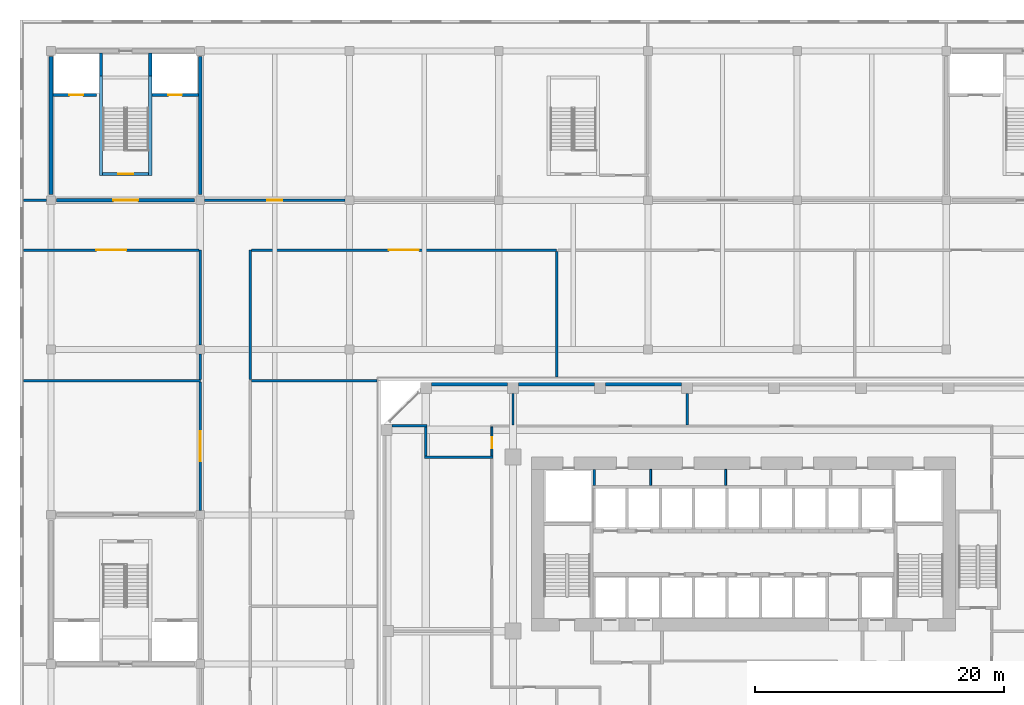
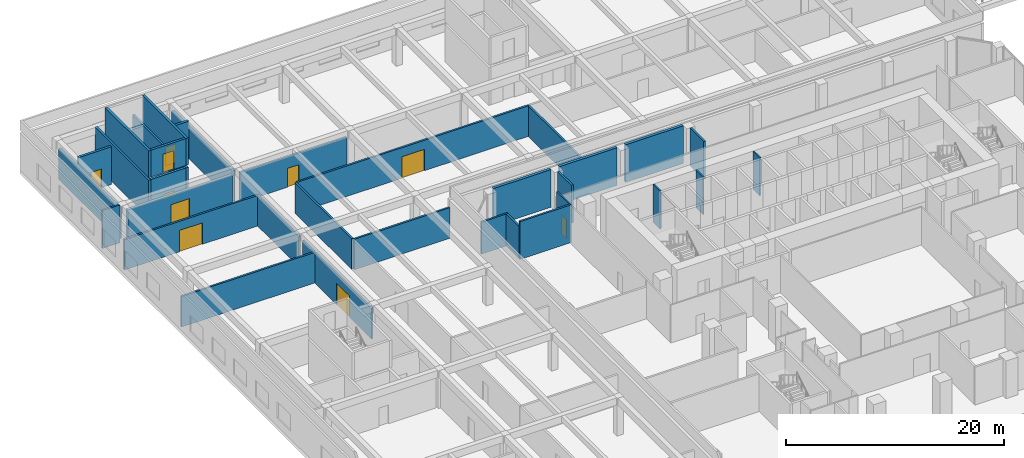
# One storey, part 20 of 35: 34 walls, 10 doors, 10 openings.
"""IFC4 building model written with IfcOpenShell, lengths in metres."""

from ifc_helpers import new_model, si_unit, direction, frame, frame_2d, origin, place, context, subcontext, project, spatial, rectangle, extrude, source, transform, mapped, material, layer, layer_set, type_object, element, fill, save


model = new_model("IFC4")

# Units and contexts
model_context = context("Model", 3, precision=1e-05, world=origin(), true_north=direction((0.0, 1.0)))
body_context = subcontext(model_context, "Body", "Model", "MODEL_VIEW")
ifc_project = project(units=[si_unit("LENGTHUNIT", "METRE"), si_unit("AREAUNIT", "SQUARE_METRE"), si_unit("VOLUMEUNIT", "CUBIC_METRE"), si_unit("PLANEANGLEUNIT", "RADIAN"), si_unit("MASSUNIT", "GRAM", prefix="KILO")], contexts=[model_context])

# Site, building, storey
site_placement = place(None, origin())
site = spatial("IfcSite", under=ifc_project, at=site_placement, CompositionType="ELEMENT")
building_placement = place(site_placement, origin())
building = spatial("IfcBuilding", under=site, at=building_placement, Name="Kilnfold Tower and Market Hall", CompositionType="ELEMENT")
storey_placement = place(building_placement, frame((0.0, 0.0, 22.5)))
storey = spatial("IfcBuildingStorey", under=building, at=storey_placement, Name="L04", CompositionType="ELEMENT", Elevation=22.5)

# Wall, opening, door
ifc_material_1 = material(Name="Gypsum board on steel studs", Category="steel")
ifc_layer_1 = layer(ifc_material_1, 0.14990234375)
ifc_layer_set_1 = layer_set([ifc_layer_1], Name="Gypsum board on steel studs")
wall_type_1 = type_object("IfcWallType", Name="WALL CORRIDOR 150", PredefinedType="PARTITIONING", material=ifc_layer_set_1)
wall_1_placement = place(storey_placement, frame((-19.199951171875, 22.090087890625, 0.0), z_axis=(0.0, 0.0, 1.0), x_axis=(0.0, 1.0, 0.0)))
wall_1 = element("IfcWall", 1, at=wall_1_placement, inside=storey, type_object=wall_type_1, Name="Partition LY05.29", PredefinedType="PARTITIONING", context=body_context, shape_type="SweptSolid", body=[
    extrude(rectangle(XDim=2.3349609375, YDim=0.14990234375, at=frame_2d((1.16748046875, 0.0))), origin(), (0.0, 0.0, 1.0), 4.219970703125),
])
opening_1_placement = place(wall_1_placement, frame((0.614013671875, 0.0, 0.0)))
opening_1 = element("IfcOpeningElement", 2, at=opening_1_placement, cuts=wall_1, Name="Opening D2", PredefinedType="OPENING", context=body_context, shape_type="SweptSolid", body=[
    extrude(rectangle(XDim=0.89990234375, YDim=2.10009765625, at=frame_2d((0.449951171875, 1.050048828125))), frame((0.0, 0.0849609375, 0.0), z_axis=(0.0, -1.0, 0.0), x_axis=(1.0, 0.0, 0.0)), (0.0, 0.0, 1.0), 0.169921875),
])
ifc_material_2 = material(Name="Timber veneer door leaf in steel frame", Category="steel")
door_type_1 = type_object("IfcDoorType", Name="DOOR ROOM 900 X2100", OperationType="NOTDEFINED", PredefinedType="DOOR", material=ifc_material_2)
door_1_placement = place(opening_1_placement, origin())
door_1 = element("IfcDoor", 3, at=door_1_placement, inside=storey, type_object=door_type_1, Name="Door D2", OperationType="SINGLE_SWING_LEFT", OverallHeight=2.10009765625, OverallWidth=0.89990234375, PredefinedType="DOOR", context=body_context, shape_type="SweptSolid", body=[
    extrude(rectangle(XDim=0.89990234375, YDim=2.10009765625, at=frame_2d((0.449951171875, 1.050048828125))), frame((0.0, 0.02490234375, 0.0), z_axis=(0.0, -1.0, 0.0), x_axis=(1.0, 0.0, 0.0)), (0.0, 0.0, 1.0), 0.050048828125),
])
fill(opening_1, door_1)

# Walls
ifc_material_3 = material(Name="Gypsum board on steel studs", Category="steel")
ifc_layer_2 = layer(ifc_material_3, 0.199951171875)
ifc_layer_set_2 = layer_set([ifc_layer_2], Name="Gypsum board on steel studs")
wall_type_2 = type_object("IfcWallType", Name="WALL PARTY 200", PredefinedType="PARTITIONING", material=ifc_layer_set_2)
for number, where, z_axis, x_axis, name in (
    (4, (-3.5, 27.10009765625, 0.0), (0.0, 0.0, 1.0), (0.0, -1.0, 0.0), "Partition LY05.58"),
    (5, (-17.5, 24.575927734375, 0.0), (0.0, 0.0, 1.0), (0.0, 1.0, 0.0), "Partition LY05.59"),
):
    element("IfcWall", number, at=place(storey_placement, frame(where, z_axis=z_axis, x_axis=x_axis)), inside=storey, type_object=wall_type_2, Name=name, PredefinedType="PARTITIONING", context=body_context, shape_type="SweptSolid", body=[
        extrude(rectangle(XDim=2.524169921875, YDim=0.199951171875, at=frame_2d((1.26220703125, 0.0))), origin(), (0.0, 0.0, 1.0), 4.219970703125),
    ])
wall_2_placement = place(storey_placement, frame((-27.23193359375, 24.5, 0.0), z_axis=(0.0, 0.0, 1.0), x_axis=(1.0, 0.0, 0.0)))
element("IfcWall", 6, at=wall_2_placement, inside=storey, type_object=wall_type_2, Name="Partition LY05.60", PredefinedType="PARTITIONING", context=body_context, shape_type="SweptSolid", body=[
    extrude(rectangle(XDim=2.83203125, YDim=0.199951171875, at=frame_2d((1.416015625, 0.0))), origin(), (0.0, 0.0, 1.0), 3.570068359375),
])
wall_3_placement = place(storey_placement, frame((-24.60009765625, 22.0, 0.0), z_axis=(0.0, 0.0, 1.0), x_axis=(1.0, 0.0, 0.0)))
element("IfcWall", 7, at=wall_3_placement, inside=storey, type_object=wall_type_2, Name="Partition LY05.61", PredefinedType="PARTITIONING", context=body_context, shape_type="SweptSolid", body=[
    extrude(rectangle(XDim=5.47412109375, YDim=0.199951171875, at=frame_2d((2.737060546875, 0.0))), origin(), (0.0, 0.0, 1.0), 4.219970703125),
])
wall_4_placement = place(storey_placement, frame((-24.5, 24.39990234375, 0.0), z_axis=(0.0, 0.0, 1.0), x_axis=(0.0, -1.0, 0.0)))
element("IfcWall", 8, at=wall_4_placement, inside=storey, type_object=wall_type_2, Name="Partition LY05.62", PredefinedType="PARTITIONING", context=body_context, shape_type="SweptSolid", body=[
    extrude(rectangle(XDim=2.2998046875, YDim=0.199951171875, at=frame_2d((1.14990234375, 0.0))), origin(), (0.0, 0.0, 1.0), 3.570068359375),
])

# Wall, opening, door
ifc_material_4 = material(Name="Concrete C50/60", Category="concrete")
ifc_layer_3 = layer(ifc_material_4, 0.25)
ifc_layer_set_3 = layer_set([ifc_layer_3], Name="Concrete C50/60")
wall_type_3 = type_object("IfcWallType", Name="HALL CORE WALL 250", PredefinedType="SHEAR", material=ifc_layer_set_3)
shared_shape_1 = source(origin(), body_context, "Body", "SweptSolid", [
    extrude(rectangle(XDim=3.699951171875, YDim=0.25, at=frame_2d((1.85009765625, 0.0))), origin(), (0.0, 0.0, 1.0), 4.219970703125),
])
wall_5_placement = place(storey_placement, frame((-46.800048828125, 44.77490234375, 0.0), z_axis=(0.0, 0.0, 1.0), x_axis=(-1.0, 0.0, 0.0)))
wall_5 = element("IfcWall", 9, at=wall_5_placement, inside=storey, type_object=wall_type_3, Name="Core wall MH2", PredefinedType="SHEAR", context=body_context, shape_type="MappedRepresentation", body=[
    mapped(shared_shape_1, transform((0.0, 0.0, 0.0))),
])
opening_2_placement = place(wall_5_placement, frame((1.25, 0.0, 0.0)))
opening_2 = element("IfcOpeningElement", 10, at=opening_2_placement, cuts=wall_5, Name="Opening MD9-60", PredefinedType="OPENING", context=body_context, shape_type="SweptSolid", body=[
    extrude(rectangle(XDim=1.199951171875, YDim=2.10009765625, at=frame_2d((0.60009765625, 1.050048828125))), frame((0.0, 0.135009765625, 0.0), z_axis=(0.0, -1.0, 0.0), x_axis=(1.0, 0.0, 0.0)), (0.0, 0.0, 1.0), 0.27001953125),
])
ifc_material_5 = material(Name="Steel S355", Category="steel")
door_type_2 = type_object("IfcDoorType", Name="HALL DOOR STAIR 1200X2100 FD60", OperationType="NOTDEFINED", PredefinedType="DOOR", material=ifc_material_5)
door_2_placement = place(opening_2_placement, origin())
door_2 = element("IfcDoor", 11, at=door_2_placement, inside=storey, type_object=door_type_2, Name="Door MD9-60", OperationType="DOUBLE_DOOR_SINGLE_SWING", OverallHeight=2.10009765625, OverallWidth=1.199951171875, PredefinedType="DOOR", context=body_context, shape_type="SweptSolid", body=[
    extrude(rectangle(XDim=1.199951171875, YDim=2.10009765625, at=frame_2d((0.60009765625, 1.050048828125))), frame((0.0, 0.02490234375, 0.0), z_axis=(0.0, -1.0, 0.0), x_axis=(1.0, 0.0, 0.0)), (0.0, 0.0, 1.0), 0.050048828125),
])
fill(opening_2, door_2)

ifc_material_6 = material(Name="Concrete C50/60", Category="concrete")
ifc_layer_4 = layer(ifc_material_6, 0.300048828125)
ifc_layer_set_4 = layer_set([ifc_layer_4], Name="Concrete C50/60")
wall_type_4 = type_object("IfcWallType", Name="HALL CORE WALL 300", PredefinedType="SHEAR", material=ifc_layer_set_4)
shared_shape_2 = source(origin(), body_context, "Body", "SweptSolid", [
    extrude(rectangle(XDim=11.099853515625, YDim=0.300048828125, at=frame_2d((5.5498046875, 0.0))), origin(), (0.0, 0.0, 1.0), 3.419921875),
])
wall_6_placement = place(storey_placement, frame((-43.10009765625, 42.64990234375, 0.0), z_axis=(0.0, 0.0, 1.0), x_axis=(-1.0, 0.0, 0.0)))
wall_6 = element("IfcWall", 12, at=wall_6_placement, inside=storey, type_object=wall_type_4, Name="Core wall MH2", PredefinedType="SHEAR", context=body_context, shape_type="MappedRepresentation", body=[
    mapped(shared_shape_2, transform((0.0, 0.0, 0.0))),
])
opening_3_placement = place(wall_6_placement, frame((4.550048828125, 0.0, 0.0)))
opening_3 = element("IfcOpeningElement", 13, at=opening_3_placement, cuts=wall_6, Name="Opening MD10-60", PredefinedType="OPENING", context=body_context, shape_type="SweptSolid", body=[
    extrude(rectangle(XDim=2.0, YDim=2.39990234375, at=frame_2d((1.0, 1.199951171875))), frame((0.0, 0.16015625, 0.0), z_axis=(0.0, -1.0, 0.0), x_axis=(1.0, 0.0, 0.0)), (0.0, 0.0, 1.0), 0.320068359375),
])
ifc_material_7 = material(Name="Aluminium glazing", Category="aluminium")
door_type_3 = type_object("IfcDoorType", Name="HALL DOOR LOBBY 2000X2400 FD60", OperationType="NOTDEFINED", PredefinedType="DOOR", material=ifc_material_7)
door_3_placement = place(opening_3_placement, origin())
door_3 = element("IfcDoor", 14, at=door_3_placement, inside=storey, type_object=door_type_3, Name="Door MD10-60", OperationType="DOUBLE_DOOR_SINGLE_SWING", OverallHeight=2.39990234375, OverallWidth=2.0, PredefinedType="DOOR", context=body_context, shape_type="SweptSolid", body=[
    extrude(rectangle(XDim=2.0, YDim=2.39990234375, at=frame_2d((1.0, 1.199951171875))), frame((0.0, 0.02490234375, 0.0), z_axis=(0.0, -1.0, 0.0), x_axis=(1.0, 0.0, 0.0)), (0.0, 0.0, 1.0), 0.050048828125),
])
fill(opening_3, door_3)

# Walls
for number, where, z_axis, x_axis, name in (
    (15, (-42.64990234375, 54.199951171875, 0.0), (0.0, 0.0, 1.0), (0.0, -1.0, 0.0), "Core wall MH2"),
    (16, (-54.64990234375, 54.199951171875, 0.0), (0.0, 0.0, 1.0), (0.0, -1.0, 0.0), "Core wall MH2"),
):
    element("IfcWall", number, at=place(storey_placement, frame(where, z_axis=z_axis, x_axis=x_axis)), inside=storey, type_object=wall_type_4, Name=name, PredefinedType="SHEAR", context=body_context, shape_type="MappedRepresentation", body=[
        mapped(shared_shape_2, transform((0.0, 0.0, 0.0))),
    ])
shared_shape_3 = source(origin(), body_context, "Body", "SweptSolid", [
    extrude(rectangle(XDim=9.85009765625, YDim=0.25, at=frame_2d((4.925048828125, 0.0))), origin(), (0.0, 0.0, 1.0), 4.219970703125),
])
for number, where, z_axis, x_axis, name in (
    (17, (-46.675048828125, 54.5, 0.0), (0.0, 0.0, 1.0), (0.0, -1.0, 0.0), "Core wall MH2"),
    (18, (-50.625, 54.5, 0.0), (0.0, 0.0, 1.0), (0.0, -1.0, 0.0), "Core wall MH2"),
):
    element("IfcWall", number, at=place(storey_placement, frame(where, z_axis=z_axis, x_axis=x_axis)), inside=storey, type_object=wall_type_3, Name=name, PredefinedType="SHEAR", context=body_context, shape_type="MappedRepresentation", body=[
        mapped(shared_shape_3, transform((0.0, 0.0, 0.0))),
    ])

# Wall, opening, door
shared_shape_4 = source(origin(), body_context, "Body", "SweptSolid", [
    extrude(rectangle(XDim=3.75, YDim=0.25, at=frame_2d((1.875, 0.0))), origin(), (0.0, 0.0, 1.0), 4.219970703125),
])
wall_7_placement = place(storey_placement, frame((-42.800048828125, 51.125, 0.0), z_axis=(0.0, 0.0, 1.0), x_axis=(-1.0, 0.0, 0.0)))
wall_7 = element("IfcWall", 19, at=wall_7_placement, inside=storey, type_object=wall_type_3, Name="Core wall MH2", PredefinedType="SHEAR", context=body_context, shape_type="MappedRepresentation", body=[
    mapped(shared_shape_4, transform((0.0, 0.0, 0.0))),
])
opening_4_placement = place(wall_7_placement, frame((1.324951171875, 0.0, 0.0)))
opening_4 = element("IfcOpeningElement", 20, at=opening_4_placement, cuts=wall_7, Name="Opening LD", PredefinedType="OPENING", context=body_context, shape_type="SweptSolid", body=[
    extrude(rectangle(XDim=1.10009765625, YDim=2.10009765625, at=frame_2d((0.550048828125, 1.050048828125))), frame((0.0, 0.135009765625, 0.0), z_axis=(0.0, -1.0, 0.0), x_axis=(1.0, 0.0, 0.0)), (0.0, 0.0, 1.0), 0.27001953125),
])
ifc_material_8 = material(Name="Steel S355", Category="steel")
door_type_4 = type_object("IfcDoorType", Name="HALL LANDING DOOR 1100X2100 FD60", OperationType="NOTDEFINED", PredefinedType="DOOR", material=ifc_material_8)
door_4_placement = place(opening_4_placement, origin())
door_4 = element("IfcDoor", 21, at=door_4_placement, inside=storey, type_object=door_type_4, Name="Door LD", OperationType="SLIDING_TO_LEFT", OverallHeight=2.10009765625, OverallWidth=1.10009765625, PredefinedType="DOOR", context=body_context, shape_type="SweptSolid", body=[
    extrude(rectangle(XDim=1.10009765625, YDim=2.10009765625, at=frame_2d((0.550048828125, 1.050048828125))), frame((0.0, 0.02490234375, 0.0), z_axis=(0.0, -1.0, 0.0), x_axis=(1.0, 0.0, 0.0)), (0.0, 0.0, 1.0), 0.050048828125),
])
fill(opening_4, door_4)

shared_shape_5 = source(origin(), body_context, "Body", "SweptSolid", [
    extrude(rectangle(XDim=3.5, YDim=0.25, at=frame_2d((1.75, 0.0))), origin(), (0.0, 0.0, 1.0), 4.219970703125),
])
wall_8_placement = place(storey_placement, frame((-51.0, 51.125, 0.0), z_axis=(0.0, 0.0, 1.0), x_axis=(-1.0, 0.0, 0.0)))
wall_8 = element("IfcWall", 22, at=wall_8_placement, inside=storey, type_object=wall_type_3, Name="Core wall MH2", PredefinedType="SHEAR", context=body_context, shape_type="MappedRepresentation", body=[
    mapped(shared_shape_5, transform((0.0, 0.0, 0.0))),
])
opening_5_placement = place(wall_8_placement, frame((1.074951171875, 0.0, 0.0)))
opening_5 = element("IfcOpeningElement", 23, at=opening_5_placement, cuts=wall_8, Name="Opening LD", PredefinedType="OPENING", context=body_context, shape_type="SweptSolid", body=[
    extrude(rectangle(XDim=1.10009765625, YDim=2.10009765625, at=frame_2d((0.550048828125, 1.050048828125))), frame((0.0, 0.135009765625, 0.0), z_axis=(0.0, -1.0, 0.0), x_axis=(1.0, 0.0, 0.0)), (0.0, 0.0, 1.0), 0.27001953125),
])
door_5_placement = place(opening_5_placement, origin())
door_5 = element("IfcDoor", 24, at=door_5_placement, inside=storey, type_object=door_type_4, Name="Door LD", OperationType="SLIDING_TO_LEFT", OverallHeight=2.10009765625, OverallWidth=1.10009765625, PredefinedType="DOOR", context=body_context, shape_type="SweptSolid", body=[
    extrude(rectangle(XDim=1.10009765625, YDim=2.10009765625, at=frame_2d((0.550048828125, 1.050048828125))), frame((0.0, 0.02490234375, 0.0), z_axis=(0.0, -1.0, 0.0), x_axis=(1.0, 0.0, 0.0)), (0.0, 0.0, 1.0), 0.050048828125),
])
fill(opening_5, door_5)

# Walls
ifc_material_9 = material(Name="Precast concrete C50/60", Category="concrete")
ifc_layer_5 = layer(ifc_material_9, 0.300048828125)
ifc_layer_set_5 = layer_set([ifc_layer_5], Name="Precast concrete C50/60")
wall_type_5 = type_object("IfcWallType", Name="PRECAST WALL 300", PredefinedType="SOLIDWALL", material=ifc_layer_set_5)
shared_shape_6 = source(origin(), body_context, "Body", "SweptSolid", [
    extrude(rectangle(XDim=6.10009765625, YDim=0.300048828125, at=frame_2d((3.050048828125, 0.0))), origin(), (0.0, 0.0, 1.0), 4.219970703125),
])
for number, where, z_axis, x_axis, name in (
    (25, (-3.949951171875, 27.85009765625, 0.0), (0.0, 0.0, 1.0), (-1.0, 0.0, 0.0), "Party wall L04 N"),
    (26, (-10.949951171875, 27.85009765625, 0.0), (0.0, 0.0, 1.0), (-1.0, 0.0, 0.0), "Party wall L04 N"),
    (27, (-17.949951171875, 27.85009765625, 0.0), (0.0, 0.0, 1.0), (-1.0, 0.0, 0.0), "Party wall L04 N"),
):
    element("IfcWall", number, at=place(storey_placement, frame(where, z_axis=z_axis, x_axis=x_axis)), inside=storey, type_object=wall_type_5, Name=name, PredefinedType="SOLIDWALL", context=body_context, shape_type="MappedRepresentation", body=[
        mapped(shared_shape_6, transform((0.0, 0.0, 0.0))),
    ])
ifc_material_10 = material(Name="Concrete C50/60", Category="concrete")
ifc_layer_6 = layer(ifc_material_10, 0.25)
ifc_layer_set_6 = layer_set([ifc_layer_6], Name="Concrete C50/60")
wall_type_6 = type_object("IfcWallType", Name="HEADHOUSE WALL 250", PredefinedType="SOLIDWALL", material=ifc_layer_set_6)
shared_shape_7 = source(origin(), body_context, "Body", "SweptSolid", [
    extrude(rectangle(XDim=8.0, YDim=0.25, at=frame_2d((4.0, 0.0))), origin(), (0.0, 0.0, 1.0), 3.0),
])
for number, where, z_axis, x_axis, name in (
    (28, (-50.625, 44.64990234375, 4.5), (0.0, 0.0, 1.0), (0.0, 1.0, 0.0), "Stair head-house wall MS3"),
    (29, (-46.675048828125, 44.64990234375, 4.5), (0.0, 0.0, 1.0), (0.0, 1.0, 0.0), "Stair head-house wall MS3"),
):
    element("IfcWall", number, at=place(storey_placement, frame(where, z_axis=z_axis, x_axis=x_axis)), inside=storey, type_object=wall_type_6, Name=name, PredefinedType="SOLIDWALL", context=body_context, shape_type="MappedRepresentation", body=[
        mapped(shared_shape_7, transform((0.0, 0.0, 0.0))),
    ])

# Wall, opening, door
shared_shape_8 = source(origin(), body_context, "Body", "SweptSolid", [
    extrude(rectangle(XDim=3.699951171875, YDim=0.25, at=frame_2d((1.85009765625, 0.0))), origin(), (0.0, 0.0, 1.0), 3.0),
])
wall_9_placement = place(storey_placement, frame((-50.5, 44.77490234375, 4.5), z_axis=(0.0, 0.0, 1.0), x_axis=(1.0, 0.0, 0.0)))
wall_9 = element("IfcWall", 30, at=wall_9_placement, inside=storey, type_object=wall_type_6, Name="Stair head-house wall MS3", PredefinedType="SOLIDWALL", context=body_context, shape_type="MappedRepresentation", body=[
    mapped(shared_shape_8, transform((0.0, 0.0, 0.0))),
])
opening_6_placement = place(wall_9_placement, frame((1.25, 0.0, 0.0)))
opening_6 = element("IfcOpeningElement", 31, at=opening_6_placement, cuts=wall_9, Name="Opening MED4", PredefinedType="OPENING", context=body_context, shape_type="SweptSolid", body=[
    extrude(rectangle(XDim=1.199951171875, YDim=2.10009765625, at=frame_2d((0.60009765625, 1.050048828125))), frame((0.0, 0.135009765625, 0.0), z_axis=(0.0, -1.0, 0.0), x_axis=(1.0, 0.0, 0.0)), (0.0, 0.0, 1.0), 0.27001953125),
])
ifc_material_11 = material(Name="Steel S355", Category="steel")
door_type_5 = type_object("IfcDoorType", Name="HEADHOUSE DOOR 1200X2100 FD60", OperationType="NOTDEFINED", PredefinedType="DOOR", material=ifc_material_11)
door_6_placement = place(opening_6_placement, origin())
door_6 = element("IfcDoor", 32, at=door_6_placement, inside=storey, type_object=door_type_5, Name="Head-house door", OperationType="DOUBLE_DOOR_SINGLE_SWING", OverallHeight=2.10009765625, OverallWidth=1.199951171875, PredefinedType="DOOR", context=body_context, shape_type="SweptSolid", body=[
    extrude(rectangle(XDim=1.199951171875, YDim=2.10009765625, at=frame_2d((0.60009765625, 1.050048828125))), frame((0.0, 0.02490234375, 0.0), z_axis=(0.0, -1.0, 0.0), x_axis=(1.0, 0.0, 0.0)), (0.0, 0.0, 1.0), 0.050048828125),
])
fill(opening_6, door_6)

# Walls
ifc_material_12 = material(Name="Gypsum shaft wall system")
ifc_layer_7 = layer(ifc_material_12, 0.1650390625)
ifc_layer_set_7 = layer_set([ifc_layer_7], Name="Gypsum shaft wall system")
wall_type_7 = type_object("IfcWallType", Name="SHAFT WALL 165", PredefinedType="PARTITIONING", material=ifc_layer_set_7)
shared_shape_9 = source(origin(), body_context, "Body", "SweptSolid", [
    extrude(rectangle(XDim=1.27490234375, YDim=0.1650390625, at=frame_2d((0.637451171875, 0.0))), origin(), (0.0, 0.0, 1.0), 4.219970703125),
])
wall_10_placement = place(storey_placement, frame((-10.967529296875, 19.72509765625, 0.0), z_axis=(0.0, 0.0, 1.0), x_axis=(0.0, 1.0, 0.0)))
element("IfcWall", 33, at=wall_10_placement, inside=storey, type_object=wall_type_7, Name="Lift shaft wall", PredefinedType="PARTITIONING", context=body_context, shape_type="MappedRepresentation", body=[
    mapped(shared_shape_9, transform((0.0, 0.0, 0.0))),
])
ifc_material_13 = material(Name="Gypsum shaft wall system")
ifc_layer_8 = layer(ifc_material_13, 0.14990234375)
ifc_layer_set_8 = layer_set([ifc_layer_8], Name="Gypsum shaft wall system")
wall_type_8 = type_object("IfcWallType", Name="ROOM WALL 150", PredefinedType="PARTITIONING", material=ifc_layer_set_8)
shared_shape_10 = source(origin(), body_context, "Body", "SweptSolid", [
    extrude(rectangle(XDim=1.27490234375, YDim=0.14990234375, at=frame_2d((0.637451171875, 0.0))), origin(), (0.0, 0.0, 1.0), 4.219970703125),
])
for number, where, z_axis, x_axis, name in (
    (34, (-6.42724609375, 19.72509765625, 0.0), (0.0, 0.0, 1.0), (0.0, 1.0, 0.0), "Core room wall"),
    (35, (-0.397216796875, 19.72509765625, 0.0), (0.0, 0.0, 1.0), (0.0, 1.0, 0.0), "Core room wall"),
):
    element("IfcWall", number, at=place(storey_placement, frame(where, z_axis=z_axis, x_axis=x_axis)), inside=storey, type_object=wall_type_8, Name=name, PredefinedType="PARTITIONING", context=body_context, shape_type="MappedRepresentation", body=[
        mapped(shared_shape_10, transform((0.0, 0.0, 0.0))),
    ])
ifc_material_14 = material(Name="Concrete blockwork", Category="masonry")
ifc_layer_9 = layer(ifc_material_14, 0.199951171875)
ifc_layer_set_9 = layer_set([ifc_layer_9], Name="Concrete blockwork")
wall_type_9 = type_object("IfcWallType", Name="HALL PARTITION 200 EI 60", PredefinedType="PARTITIONING", material=ifc_layer_set_9)
shared_shape_11 = source(origin(), body_context, "Body", "SweptSolid", [
    extrude(rectangle(XDim=14.2001953125, YDim=0.199951171875, at=frame_2d((7.10009765625, 0.0))), origin(), (0.0, 0.0, 1.0), 3.419921875),
])
wall_11_placement = place(storey_placement, frame((-56.85009765625, 28.14990234375, 0.0), z_axis=(0.0, 0.0, 1.0), x_axis=(1.0, 0.0, 0.0)))
element("IfcWall", 36, at=wall_11_placement, inside=storey, type_object=wall_type_9, Name="Partition W-MH-L04.4", PredefinedType="PARTITIONING", context=body_context, shape_type="MappedRepresentation", body=[
    mapped(shared_shape_11, transform((0.0, 0.0, 0.0))),
])
ifc_material_15 = material(Name="Concrete blockwork", Category="masonry")
ifc_layer_10 = layer(ifc_material_15, 0.199951171875)
ifc_layer_set_10 = layer_set([ifc_layer_10], Name="Concrete blockwork")
wall_type_10 = type_object("IfcWallType", Name="HALL PARTITION 200 EI 120", PredefinedType="PARTITIONING", material=ifc_layer_set_10)
shared_shape_12 = source(origin(), body_context, "Body", "SweptSolid", [
    extrude(rectangle(XDim=1.85009765625, YDim=0.199951171875, at=frame_2d((0.925048828125, 0.0))), origin(), (0.0, 0.0, 1.0), 4.219970703125),
])
wall_12_placement = place(storey_placement, frame((-56.85009765625, 42.64990234375, 0.0), z_axis=(0.0, 0.0, 1.0), x_axis=(1.0, 0.0, 0.0)))
element("IfcWall", 37, at=wall_12_placement, inside=storey, type_object=wall_type_10, Name="Partition W-MH-L04.5", PredefinedType="PARTITIONING", context=body_context, shape_type="MappedRepresentation", body=[
    mapped(shared_shape_12, transform((0.0, 0.0, 0.0))),
])

# Wall, opening, door
shared_shape_13 = source(origin(), body_context, "Body", "SweptSolid", [
    extrude(rectangle(XDim=11.300048828125, YDim=0.199951171875, at=frame_2d((5.64990234375, 0.0))), origin(), (0.0, 0.0, 1.0), 3.419921875),
])
wall_13_placement = place(storey_placement, frame((-42.300048828125, 42.64990234375, 0.0), z_axis=(0.0, 0.0, 1.0), x_axis=(1.0, 0.0, 0.0)))
wall_13 = element("IfcWall", 38, at=wall_13_placement, inside=storey, type_object=wall_type_10, Name="Partition W-MH-L04.15", PredefinedType="PARTITIONING", context=body_context, shape_type="MappedRepresentation", body=[
    mapped(shared_shape_13, transform((0.0, 0.0, 0.0))),
])
opening_7_placement = place(wall_13_placement, frame((5.050048828125, 0.0, 0.0)))
opening_7 = element("IfcOpeningElement", 39, at=opening_7_placement, cuts=wall_13, Name="Opening MD3-120", PredefinedType="OPENING", context=body_context, shape_type="SweptSolid", body=[
    extrude(rectangle(XDim=1.199951171875, YDim=2.10009765625, at=frame_2d((0.60009765625, 1.050048828125))), frame((0.0, 0.10986328125, 0.0), z_axis=(0.0, -1.0, 0.0), x_axis=(1.0, 0.0, 0.0)), (0.0, 0.0, 1.0), 0.219970703125),
])
ifc_material_16 = material(Name="Steel S355", Category="steel")
door_type_6 = type_object("IfcDoorType", Name="HALL DOOR SERVICE 1200X2100 FD120", OperationType="NOTDEFINED", PredefinedType="DOOR", material=ifc_material_16)
door_7_placement = place(opening_7_placement, origin())
door_7 = element("IfcDoor", 40, at=door_7_placement, inside=storey, type_object=door_type_6, Name="Door MD3-120", OperationType="SINGLE_SWING_LEFT", OverallHeight=2.10009765625, OverallWidth=1.199951171875, PredefinedType="DOOR", context=body_context, shape_type="SweptSolid", body=[
    extrude(rectangle(XDim=1.199951171875, YDim=2.10009765625, at=frame_2d((0.60009765625, 1.050048828125))), frame((0.0, 0.02490234375, 0.0), z_axis=(0.0, -1.0, 0.0), x_axis=(1.0, 0.0, 0.0)), (0.0, 0.0, 1.0), 0.050048828125),
])
fill(opening_7, door_7)

shared_shape_14 = source(origin(), body_context, "Body", "SweptSolid", [
    extrude(rectangle(XDim=10.35009765625, YDim=0.199951171875, at=frame_2d((5.175048828125, 0.0))), origin(), (0.0, 0.0, 1.0), 3.419921875),
])
wall_14_placement = place(storey_placement, frame((-42.64990234375, 17.699951171875, 0.0), z_axis=(0.0, 0.0, 1.0), x_axis=(0.0, 1.0, 0.0)))
wall_14 = element("IfcWall", 41, at=wall_14_placement, inside=storey, type_object=wall_type_9, Name="Partition W-MH-L04.11", PredefinedType="PARTITIONING", context=body_context, shape_type="MappedRepresentation", body=[
    mapped(shared_shape_14, transform((0.0, 0.0, 0.0))),
])
opening_8_placement = place(wall_14_placement, frame((3.97509765625, 0.0, 0.0)))
opening_8 = element("IfcOpeningElement", 42, at=opening_8_placement, cuts=wall_14, Name="Opening MD7-60", PredefinedType="OPENING", context=body_context, shape_type="SweptSolid", body=[
    extrude(rectangle(XDim=2.39990234375, YDim=2.39990234375, at=frame_2d((1.199951171875, 1.199951171875))), frame((0.0, 0.10986328125, 0.0), z_axis=(0.0, -1.0, 0.0), x_axis=(1.0, 0.0, 0.0)), (0.0, 0.0, 1.0), 0.219970703125),
])
ifc_material_17 = material(Name="Aluminium glazing", Category="aluminium")
door_type_7 = type_object("IfcDoorType", Name="HALL DOOR HALL 2400X2400 FD60", OperationType="NOTDEFINED", PredefinedType="DOOR", material=ifc_material_17)
door_8_placement = place(opening_8_placement, origin())
door_8 = element("IfcDoor", 43, at=door_8_placement, inside=storey, type_object=door_type_7, Name="Door MD7-60", OperationType="DOUBLE_DOOR_SINGLE_SWING", OverallHeight=2.39990234375, OverallWidth=2.39990234375, PredefinedType="DOOR", context=body_context, shape_type="SweptSolid", body=[
    extrude(rectangle(XDim=2.39990234375, YDim=2.39990234375, at=frame_2d((1.199951171875, 1.199951171875))), frame((0.0, 0.02490234375, 0.0), z_axis=(0.0, -1.0, 0.0), x_axis=(1.0, 0.0, 0.0)), (0.0, 0.0, 1.0), 0.050048828125),
])
fill(opening_8, door_8)

# Walls
shared_shape_15 = source(origin(), body_context, "Body", "SweptSolid", [
    extrude(rectangle(XDim=2.050048828125, YDim=0.199951171875, at=frame_2d((1.02490234375, 0.0))), origin(), (0.0, 0.0, 1.0), 3.419921875),
])
wall_15_placement = place(storey_placement, frame((-42.64990234375, 28.25, 0.0), z_axis=(0.0, 0.0, 1.0), x_axis=(0.0, 1.0, 0.0)))
element("IfcWall", 44, at=wall_15_placement, inside=storey, type_object=wall_type_9, Name="Partition W-MH-L04.12", PredefinedType="PARTITIONING", context=body_context, shape_type="MappedRepresentation", body=[
    mapped(shared_shape_15, transform((0.0, 0.0, 0.0))),
])
shared_shape_16 = source(origin(), body_context, "Body", "SweptSolid", [
    extrude(rectangle(XDim=7.64990234375, YDim=0.199951171875, at=frame_2d((3.824951171875, 0.0))), origin(), (0.0, 0.0, 1.0), 3.419921875),
])
wall_16_placement = place(storey_placement, frame((-42.64990234375, 31.0, 0.0), z_axis=(0.0, 0.0, 1.0), x_axis=(0.0, 1.0, 0.0)))
element("IfcWall", 45, at=wall_16_placement, inside=storey, type_object=wall_type_9, Name="Partition W-MH-L04.13", PredefinedType="PARTITIONING", context=body_context, shape_type="MappedRepresentation", body=[
    mapped(shared_shape_16, transform((0.0, 0.0, 0.0))),
])

# Wall, opening, door
shared_shape_17 = source(origin(), body_context, "Body", "SweptSolid", [
    extrude(rectangle(XDim=14.10009765625, YDim=0.199951171875, at=frame_2d((7.050048828125, 0.0))), origin(), (0.0, 0.0, 1.0), 3.419921875),
])
wall_17_placement = place(storey_placement, frame((-42.75, 38.64990234375, 0.0), z_axis=(0.0, 0.0, 1.0), x_axis=(-1.0, 0.0, 0.0)))
wall_17 = element("IfcWall", 46, at=wall_17_placement, inside=storey, type_object=wall_type_9, Name="Partition W-MH-L04.14", PredefinedType="PARTITIONING", context=body_context, shape_type="MappedRepresentation", body=[
    mapped(shared_shape_17, transform((0.0, 0.0, 0.0))),
])
opening_9_placement = place(wall_17_placement, frame((5.85009765625, 0.0, 0.0)))
opening_9 = element("IfcOpeningElement", 47, at=opening_9_placement, cuts=wall_17, Name="Opening MD7-60", PredefinedType="OPENING", context=body_context, shape_type="SweptSolid", body=[
    extrude(rectangle(XDim=2.39990234375, YDim=2.39990234375, at=frame_2d((1.199951171875, 1.199951171875))), frame((0.0, 0.10986328125, 0.0), z_axis=(0.0, -1.0, 0.0), x_axis=(1.0, 0.0, 0.0)), (0.0, 0.0, 1.0), 0.219970703125),
])
door_9_placement = place(opening_9_placement, origin())
door_9 = element("IfcDoor", 48, at=door_9_placement, inside=storey, type_object=door_type_7, Name="Door MD7-60", OperationType="DOUBLE_DOOR_SINGLE_SWING", OverallHeight=2.39990234375, OverallWidth=2.39990234375, PredefinedType="DOOR", context=body_context, shape_type="SweptSolid", body=[
    extrude(rectangle(XDim=2.39990234375, YDim=2.39990234375, at=frame_2d((1.199951171875, 1.199951171875))), frame((0.0, 0.02490234375, 0.0), z_axis=(0.0, -1.0, 0.0), x_axis=(1.0, 0.0, 0.0)), (0.0, 0.0, 1.0), 0.050048828125),
])
fill(opening_9, door_9)

# Walls
shared_shape_18 = source(origin(), body_context, "Body", "SweptSolid", [
    extrude(rectangle(XDim=10.10009765625, YDim=0.199951171875, at=frame_2d((5.050048828125, 0.0))), origin(), (0.0, 0.0, 1.0), 3.419921875),
])
wall_18_placement = place(storey_placement, frame((-38.550048828125, 28.14990234375, 0.0), z_axis=(0.0, 0.0, 1.0), x_axis=(1.0, 0.0, 0.0)))
element("IfcWall", 49, at=wall_18_placement, inside=storey, type_object=wall_type_9, Name="Partition W-MH-L04.26", PredefinedType="PARTITIONING", context=body_context, shape_type="MappedRepresentation", body=[
    mapped(shared_shape_18, transform((0.0, 0.0, 0.0))),
])
wall_19_placement = place(storey_placement, frame((-14.0, 38.550048828125, 0.0), z_axis=(0.0, 0.0, 1.0), x_axis=(0.0, -1.0, 0.0)))
element("IfcWall", 50, at=wall_19_placement, inside=storey, type_object=wall_type_10, Name="Partition W-MH-L04.33", PredefinedType="PARTITIONING", context=body_context, shape_type="MappedRepresentation", body=[
    mapped(shared_shape_18, transform((0.0, 0.0, 0.0))),
])
shared_shape_19 = source(origin(), body_context, "Body", "SweptSolid", [
    extrude(rectangle(XDim=10.39990234375, YDim=0.199951171875, at=frame_2d((5.199951171875, 0.0))), origin(), (0.0, 0.0, 1.0), 3.419921875),
])
wall_20_placement = place(storey_placement, frame((-38.64990234375, 38.64990234375, 0.0), z_axis=(0.0, 0.0, 1.0), x_axis=(0.0, -1.0, 0.0)))
element("IfcWall", 51, at=wall_20_placement, inside=storey, type_object=wall_type_9, Name="Partition W-MH-L04.27", PredefinedType="PARTITIONING", context=body_context, shape_type="MappedRepresentation", body=[
    mapped(shared_shape_19, transform((0.0, 0.0, 0.0))),
])

# Wall, opening, door
shared_shape_20 = source(origin(), body_context, "Body", "SweptSolid", [
    extrude(rectangle(XDim=24.550048828125, YDim=0.199951171875, at=frame_2d((12.27490234375, 0.0))), origin(), (0.0, 0.0, 1.0), 3.419921875),
])
wall_21_placement = place(storey_placement, frame((-14.0, 38.64990234375, 0.0), z_axis=(0.0, 0.0, 1.0), x_axis=(-1.0, 0.0, 0.0)))
wall_21 = element("IfcWall", 52, at=wall_21_placement, inside=storey, type_object=wall_type_9, Name="Partition W-MH-L04.32", PredefinedType="PARTITIONING", context=body_context, shape_type="MappedRepresentation", body=[
    mapped(shared_shape_20, transform((0.0, 0.0, 0.0))),
])
opening_10_placement = place(wall_21_placement, frame((11.074951171875, 0.0, 0.0)))
opening_10 = element("IfcOpeningElement", 53, at=opening_10_placement, cuts=wall_21, Name="Opening MD7-60", PredefinedType="OPENING", context=body_context, shape_type="SweptSolid", body=[
    extrude(rectangle(XDim=2.39990234375, YDim=2.39990234375, at=frame_2d((1.199951171875, 1.199951171875))), frame((0.0, 0.10986328125, 0.0), z_axis=(0.0, -1.0, 0.0), x_axis=(1.0, 0.0, 0.0)), (0.0, 0.0, 1.0), 0.219970703125),
])
door_10_placement = place(opening_10_placement, origin())
door_10 = element("IfcDoor", 54, at=door_10_placement, inside=storey, type_object=door_type_7, Name="Door MD7-60", OperationType="DOUBLE_DOOR_SINGLE_SWING", OverallHeight=2.39990234375, OverallWidth=2.39990234375, PredefinedType="DOOR", context=body_context, shape_type="SweptSolid", body=[
    extrude(rectangle(XDim=2.39990234375, YDim=2.39990234375, at=frame_2d((1.199951171875, 1.199951171875))), frame((0.0, 0.02490234375, 0.0), z_axis=(0.0, -1.0, 0.0), x_axis=(1.0, 0.0, 0.0)), (0.0, 0.0, 1.0), 0.050048828125),
])
fill(opening_10, door_10)

save(model, "model.ifc")
